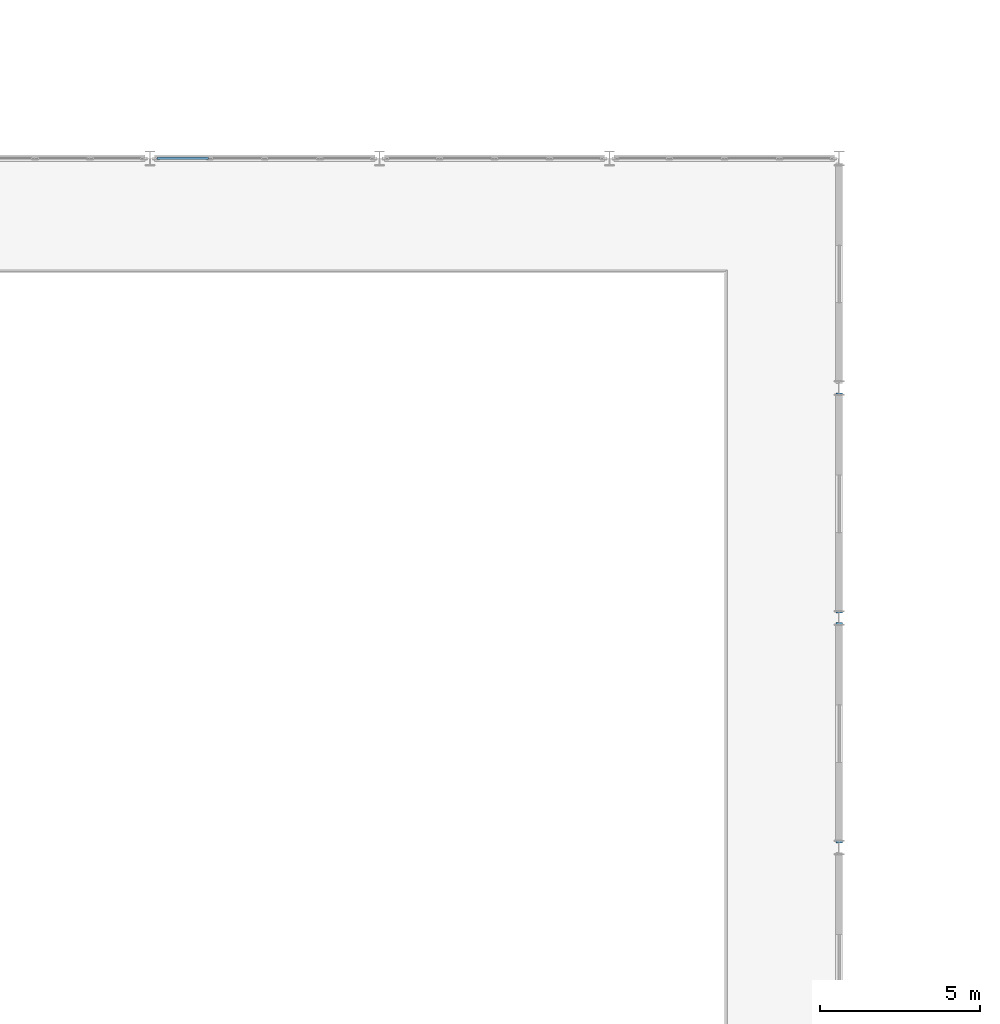
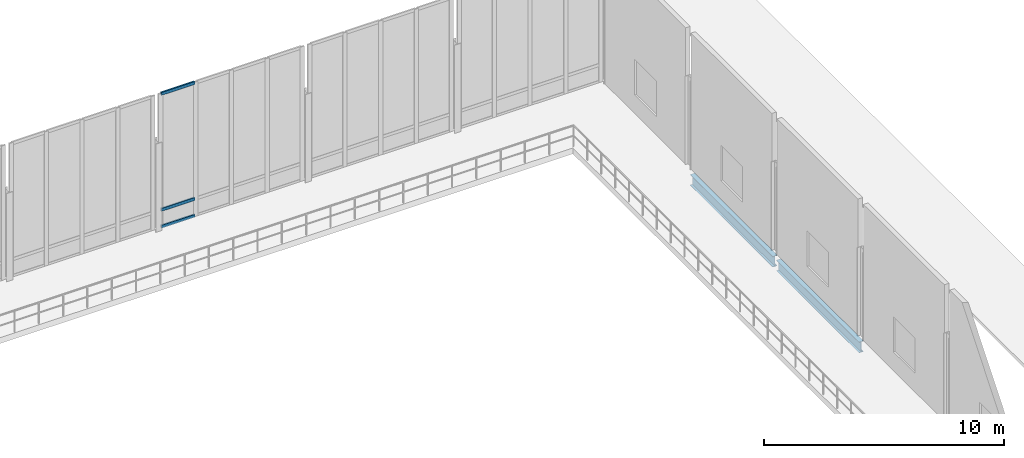
# One storey, part 37 of 110: 3 members, 2 beams, 1 element without a shape of its own.
"""IFC4 building model written with IfcOpenShell, lengths in metres."""

from ifc_helpers import new_model, si_unit, direction, frame, origin, origin_2d, place, context, subcontext, project, spatial, hollow_rectangle, i_section, extrude, material, material_profile, profile_set, type_object, element, aggregate, save


model = new_model("IFC4")

# Units and contexts
model_context = context("Model", 3, precision=1e-05, world=origin(), true_north=direction((0.0, 1.0)))
body_context = subcontext(model_context, "Body", "Model", "MODEL_VIEW")
ifc_project = project(units=[si_unit("LENGTHUNIT", "METRE"), si_unit("AREAUNIT", "SQUARE_METRE"), si_unit("VOLUMEUNIT", "CUBIC_METRE"), si_unit("PLANEANGLEUNIT", "RADIAN"), si_unit("MASSUNIT", "GRAM", prefix="KILO")], contexts=[model_context])

# Site, building, storey
site_placement = place(None, origin())
site = spatial("IfcSite", under=ifc_project, at=site_placement, CompositionType="ELEMENT")
building_placement = place(site_placement, origin())
building = spatial("IfcBuilding", under=site, at=building_placement, Name="Suanplinth Sawtooth Commons", CompositionType="ELEMENT")
storey_placement = place(building_placement, frame((0.0, 0.0, 4.5)))
storey = spatial("IfcBuildingStorey", under=building, at=storey_placement, Name="L01", CompositionType="ELEMENT", Elevation=4.5)

# Beams
ifc_material_1 = material(Name="Steel S355JR", Category="steel")
ifc_material_profile_1 = material_profile(ifc_material_1, i_section(OverallWidth=0.2099609375, OverallDepth=0.550048828125, WebThickness=0.010986328125, FlangeThickness=0.01708984375, at=origin_2d()), Name="IPE 550")
ifc_profile_set_1 = profile_set([ifc_material_profile_1], Name="Steel S355JR")
beam_type = type_object("IfcBeamType", Name="B-10", PredefinedType="USERDEFINED", material=ifc_profile_set_1)
for number, where, z_axis, x_axis, name in (
    (1, (115.199951171875, 64.949951171875, -0.574951171875), (0.0, 1.0, 0.0), (-1.0, 0.0, 0.0), "BMY-L01-HALL-16-9"),
    (2, (115.199951171875, 72.14990234375, -0.574951171875), (0.0, 1.0, 0.0), (-1.0, 0.0, 0.0), "BMY-L01-HALL-16-10"),
):
    element("IfcBeam", number, at=place(storey_placement, frame(where, z_axis=z_axis, x_axis=x_axis)), inside=storey, type_object=beam_type, Name=name, ObjectType="GIRDER", PredefinedType="USERDEFINED", context=body_context, shape_type="SweptSolid", body=[
        extrude(i_section(OverallWidth=0.2099609375, OverallDepth=0.550048828125, WebThickness=0.010986328125, FlangeThickness=0.01708984375, at=origin_2d()), origin(), (0.0, 0.0, 1.0), 6.900146484375),
    ])

# Curtain wall, members
ifc_material_2 = material(Name="Anodized aluminium and low-E glazing", Category="aluminium")
curtain_wall_type = type_object("IfcCurtainWallType", Name="CW-01", PredefinedType="USERDEFINED", material=ifc_material_2)
curtain_wall_placement = place(storey_placement, origin())
curtain_wall = element("IfcCurtainWall", 3, at=curtain_wall_placement, inside=storey, type_object=curtain_wall_type, Name="Curtain Wall CW-L01-HALL-N-4", ObjectType="CURTAIN WALL", PredefinedType="USERDEFINED")
ifc_material_3 = material(Name="Anodized aluminium 6063-T6", Category="aluminium")
ifc_material_profile_2 = material_profile(ifc_material_3, hollow_rectangle(XDim=0.074951171875, YDim=0.14990234375, WallThickness=0.00439453125, at=origin_2d()), Name="ALU-TRN 75x150")
ifc_profile_set_2 = profile_set([ifc_material_profile_2], Name="Anodized aluminium 6063-T6")
member_type = type_object("IfcMemberType", Name="M-16", PredefinedType="USERDEFINED", material=ifc_profile_set_2)
member_1_placement = place(storey_placement, frame((93.824951171875, 86.39990234375, 0.03759765625), z_axis=(1.0, 0.0, 0.0), x_axis=(0.0, 1.0, 0.0)))
member_1 = element("IfcMember", 4, at=member_1_placement, type_object=member_type, Name="CW-01 transom 1.1", ObjectType="TRANSOM", PredefinedType="USERDEFINED", context=body_context, shape_type="SweptSolid", body=[
    extrude(hollow_rectangle(XDim=0.074951171875, YDim=0.14990234375, WallThickness=0.00439453125, at=origin_2d()), origin(), (0.0, 0.0, 1.0), 1.612548828125),
])
member_2_placement = place(storey_placement, frame((93.824951171875, 86.39990234375, 0.89990234375), z_axis=(1.0, 0.0, 0.0), x_axis=(0.0, 1.0, 0.0)))
member_2 = element("IfcMember", 5, at=member_2_placement, type_object=member_type, Name="CW-01 transom 1.2", ObjectType="TRANSOM", PredefinedType="USERDEFINED", context=body_context, shape_type="SweptSolid", body=[
    extrude(hollow_rectangle(XDim=0.074951171875, YDim=0.14990234375, WallThickness=0.00439453125, at=origin_2d()), origin(), (0.0, 0.0, 1.0), 1.612548828125),
])
member_3_placement = place(storey_placement, frame((93.824951171875, 86.39990234375, 6.8125), z_axis=(1.0, 0.0, 0.0), x_axis=(0.0, 1.0, 0.0)))
member_3 = element("IfcMember", 6, at=member_3_placement, type_object=member_type, Name="CW-01 transom 1.3", ObjectType="TRANSOM", PredefinedType="USERDEFINED", context=body_context, shape_type="SweptSolid", body=[
    extrude(hollow_rectangle(XDim=0.074951171875, YDim=0.14990234375, WallThickness=0.00439453125, at=origin_2d()), origin(), (0.0, 0.0, 1.0), 1.612548828125),
])
aggregate(curtain_wall, [member_1, member_2, member_3])

save(model, "model.ifc")
